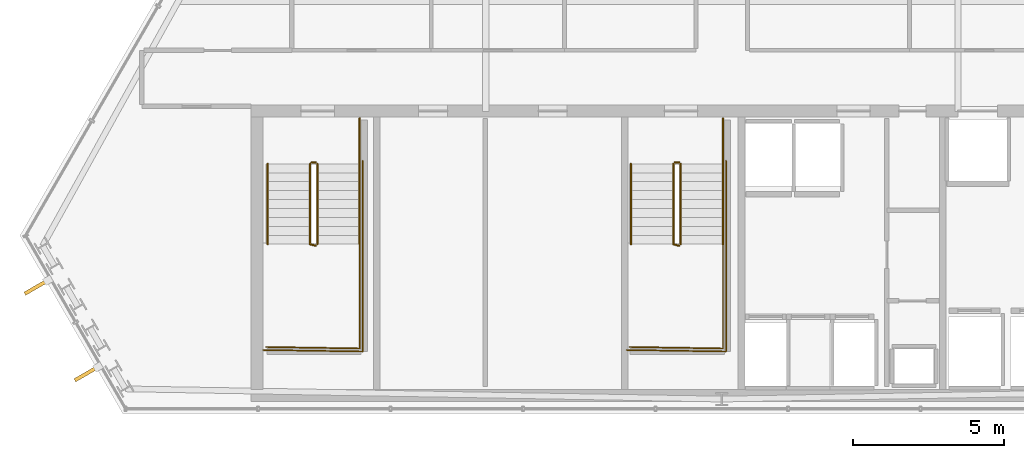
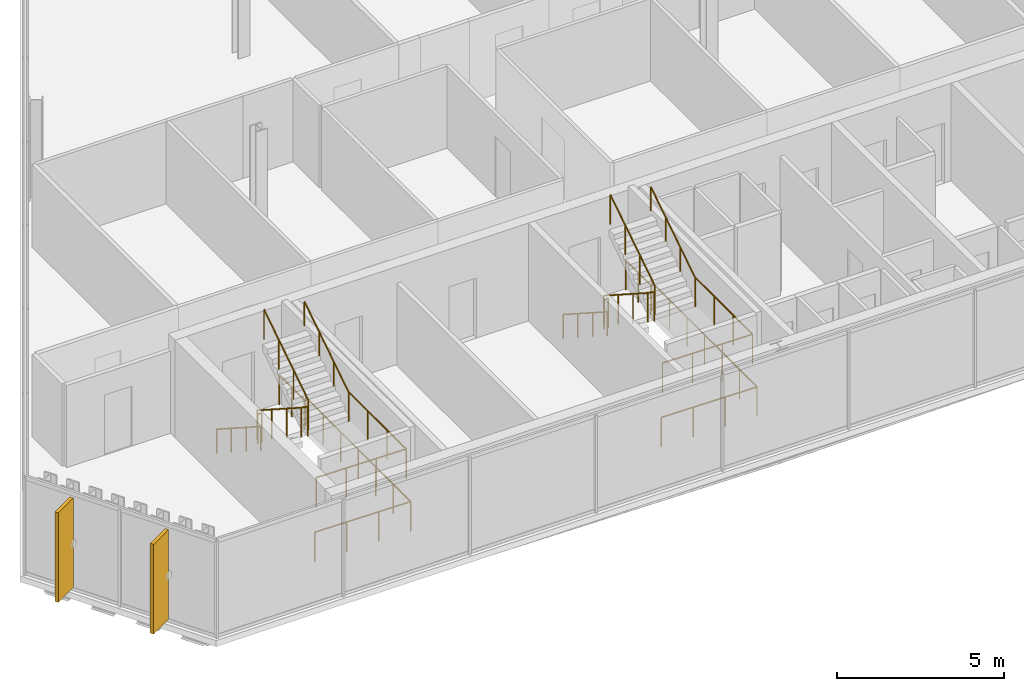
# One storey, part 27 of 29: 16 railings, 2 shading devices.
"""IFC4 building model written with IfcOpenShell, lengths in metres."""

from ifc_helpers import new_model, si_unit, direction, frame, origin, origin_2d, place, context, subcontext, project, spatial, rectangle, circle, extrude, material, layer, layer_set, type_object, element, save


model = new_model("IFC4")

# Units and contexts
model_context = context("Model", 3, precision=1e-05, world=origin(), true_north=direction((0.0, 1.0)))
body_context = subcontext(model_context, "Body", "Model", "MODEL_VIEW")
ifc_project = project(units=[si_unit("LENGTHUNIT", "METRE"), si_unit("AREAUNIT", "SQUARE_METRE"), si_unit("VOLUMEUNIT", "CUBIC_METRE"), si_unit("PLANEANGLEUNIT", "RADIAN"), si_unit("MASSUNIT", "GRAM", prefix="KILO")], contexts=[model_context])

# Site, building, storey
site_placement = place(None, origin())
site = spatial("IfcSite", under=ifc_project, at=site_placement, CompositionType="ELEMENT")
building_placement = place(site_placement, origin())
building = spatial("IfcBuilding", under=site, at=building_placement, Name="Ndaravel Arena Tower", CompositionType="ELEMENT")
storey_placement = place(building_placement, frame((0.0, 0.0, 244.60009765625)))
storey = spatial("IfcBuildingStorey", under=building, at=storey_placement, Name="L59", CompositionType="ELEMENT", Elevation=244.60009765625)

# Railings
ifc_material_1 = material(Name="Steel S355", Category="steel")
ifc_layer_1 = layer(ifc_material_1, 0.06005859375)
ifc_layer_set_1 = layer_set([ifc_layer_1], Name="Steel S355")
railing_type_1 = type_object("IfcRailingType", Name="RAIL-STAIR-GD1100", PredefinedType="GUARDRAIL", material=ifc_layer_set_1)
railing_1_placement = place(storey_placement, frame((28.39990234375, 13.25, 0.18994140625)))
element("IfcRailing", 1, at=railing_1_placement, inside=storey, type_object=railing_type_1, Name="L59 ST-1 stair guard 1", PredefinedType="GUARDRAIL", context=body_context, shape_type="SweptSolid", body=[
    extrude(circle(Radius=0.02392578125, at=origin_2d()), frame((0.0, 0.0, 1.076171875), z_axis=(0.0, -0.840723540582, 0.54146461409), x_axis=(1.0, 0.0, 0.0)), (0.0, 0.0, 1.0), 3.157958984375),
    extrude(circle(Radius=0.02392578125, at=origin_2d()), frame((0.0, -2.655029296875, 2.7861328125), z_axis=(0.967074537263, -0.25449329928, 0.0), x_axis=(0.25449329928, 0.967074537263, 0.0)), (0.0, 0.0, 1.0), 0.19677734375),
    extrude(circle(Radius=0.02099609375, at=origin_2d()), origin(), (0.0, 0.0, 1.0), 1.052001953125),
    extrude(circle(Radius=0.02099609375, at=origin_2d()), frame((0.0, -0.885009765625, 0.570068359375)), (0.0, 0.0, 1.0), 1.052001953125),
    extrude(circle(Radius=0.02099609375, at=origin_2d()), frame((0.0, -1.77001953125, 1.139892578125)), (0.0, 0.0, 1.0), 1.052001953125),
    extrude(circle(Radius=0.02099609375, at=origin_2d()), frame((0.0, -2.655029296875, 1.7099609375)), (0.0, 0.0, 1.0), 1.052001953125),
    extrude(circle(Radius=0.02099609375, at=origin_2d()), frame((0.190185546875, -2.705078125, 1.7099609375)), (0.0, 0.0, 1.0), 1.052001953125),
])
railing_2_placement = place(storey_placement, frame((30.0400390625, 10.594970703125, 1.89990234375)))
element("IfcRailing", 2, at=railing_2_placement, inside=storey, type_object=railing_type_1, Name="L59 ST-1 stair guard 2", PredefinedType="GUARDRAIL", context=body_context, shape_type="SweptSolid", body=[
    extrude(circle(Radius=0.02392578125, at=origin_2d()), frame((0.0, 0.0, 1.076171875), z_axis=(0.0, -1.0, 0.0), x_axis=(1.0, 0.0, 0.0)), (0.0, 0.0, 1.0), 3.445068359375),
    extrude(circle(Radius=0.02392578125, at=origin_2d()), frame((0.0, -3.445068359375, 1.076171875), z_axis=(-0.999868861343, 0.016194447071, 0.0), x_axis=(-0.016194447071, -0.999868861343, 0.0)), (0.0, 0.0, 1.0), 3.090576171875),
    extrude(circle(Radius=0.02099609375, at=origin_2d()), origin(), (0.0, 0.0, 1.0), 1.052001953125),
    extrude(circle(Radius=0.02099609375, at=origin_2d()), frame((0.0, -1.1484375, 0.0)), (0.0, 0.0, 1.0), 1.052001953125),
    extrude(circle(Radius=0.02099609375, at=origin_2d()), frame((0.0, -2.296630859375, 0.0)), (0.0, 0.0, 1.0), 1.052001953125),
    extrude(circle(Radius=0.02099609375, at=origin_2d()), frame((0.0, -3.445068359375, 0.0)), (0.0, 0.0, 1.0), 1.052001953125),
    extrude(circle(Radius=0.02099609375, at=origin_2d()), frame((-1.030029296875, -3.428466796875, 0.0)), (0.0, 0.0, 1.0), 1.052001953125),
    extrude(circle(Radius=0.02099609375, at=origin_2d()), frame((-2.06005859375, -3.41162109375, 0.0)), (0.0, 0.0, 1.0), 1.052001953125),
    extrude(circle(Radius=0.02099609375, at=origin_2d()), frame((-3.090087890625, -3.39501953125, 0.0)), (0.0, 0.0, 1.0), 1.052001953125),
])
railing_3_placement = place(storey_placement, frame((28.639892578125, 10.594970703125, 2.08984375)))
element("IfcRailing", 3, at=railing_3_placement, inside=storey, type_object=railing_type_1, Name="L59 ST-1 stair guard 3", PredefinedType="GUARDRAIL", context=body_context, shape_type="SweptSolid", body=[
    extrude(circle(Radius=0.02392578125, at=origin_2d()), frame((0.0, 0.0, 1.076171875), z_axis=(0.0, 0.840723540582, 0.54146461409), x_axis=(-1.0, 0.0, 0.0)), (0.0, 0.0, 1.0), 3.157958984375),
    extrude(circle(Radius=0.02099609375, at=origin_2d()), origin(), (0.0, 0.0, 1.0), 1.052001953125),
    extrude(circle(Radius=0.02099609375, at=origin_2d()), frame((0.0, 0.885009765625, 0.570068359375)), (0.0, 0.0, 1.0), 1.052001953125),
    extrude(circle(Radius=0.02099609375, at=origin_2d()), frame((0.0, 1.77001953125, 1.139892578125)), (0.0, 0.0, 1.0), 1.052001953125),
    extrude(circle(Radius=0.02099609375, at=origin_2d()), frame((0.0, 2.655029296875, 1.7099609375)), (0.0, 0.0, 1.0), 1.052001953125),
])
railing_4_placement = place(storey_placement, frame((28.449951171875, 13.300048828125, 0.0)))
element("IfcRailing", 4, at=railing_4_placement, inside=storey, type_object=railing_type_1, Name="L59 ST-1 stair guard 4", PredefinedType="GUARDRAIL", context=body_context, shape_type="SweptSolid", body=[
    extrude(circle(Radius=0.02392578125, at=origin_2d()), frame((0.0, 0.0, 1.076171875), z_axis=(1.0, 0.0, 0.0), x_axis=(0.0, 1.0, 0.0)), (0.0, 0.0, 1.0), 0.14013671875),
    extrude(circle(Radius=0.02099609375, at=origin_2d()), origin(), (0.0, 0.0, 1.0), 1.052001953125),
    extrude(circle(Radius=0.02099609375, at=origin_2d()), frame((0.14013671875, 0.0, 0.0)), (0.0, 0.0, 1.0), 1.052001953125),
])
railing_5_placement = place(storey_placement, frame((30.0400390625, 14.75, 0.0)))
element("IfcRailing", 5, at=railing_5_placement, inside=storey, type_object=railing_type_1, Name="L59 ST-1 stair guard 5", PredefinedType="GUARDRAIL", context=body_context, shape_type="SweptSolid", body=[
    extrude(circle(Radius=0.02392578125, at=origin_2d()), frame((0.0, 0.0, 1.076171875), z_axis=(0.0, -1.0, 0.0), x_axis=(1.0, 0.0, 0.0)), (0.0, 0.0, 1.0), 1.5),
    extrude(circle(Radius=0.02099609375, at=origin_2d()), origin(), (0.0, 0.0, 1.0), 1.052001953125),
    extrude(circle(Radius=0.02099609375, at=origin_2d()), frame((0.0, -0.75, 0.0)), (0.0, 0.0, 1.0), 1.052001953125),
    extrude(circle(Radius=0.02099609375, at=origin_2d()), frame((0.0, -1.5, 0.0)), (0.0, 0.0, 1.0), 1.052001953125),
])
railing_6_placement = place(storey_placement, frame((30.139892578125, 13.35009765625, 0.0)))
element("IfcRailing", 6, at=railing_6_placement, inside=storey, type_object=railing_type_1, Name="L59 ST-1 stair guard 6", PredefinedType="GUARDRAIL", context=body_context, shape_type="SweptSolid", body=[
    extrude(circle(Radius=0.02392578125, at=origin_2d()), frame((0.0, 0.0, 1.076171875), z_axis=(0.0, -1.0, 0.0), x_axis=(1.0, 0.0, 0.0)), (0.0, 0.0, 1.0), 6.300048828125),
    extrude(circle(Radius=0.02392578125, at=origin_2d()), frame((0.0, -6.300048828125, 1.076171875), z_axis=(-0.999884296952, 0.015211597839, 0.0), x_axis=(-0.015211597839, -0.999884296952, 0.0)), (0.0, 0.0, 1.0), 3.290283203125),
    extrude(circle(Radius=0.02099609375, at=origin_2d()), origin(), (0.0, 0.0, 1.0), 1.052001953125),
    extrude(circle(Radius=0.02099609375, at=origin_2d()), frame((0.0, -1.050048828125, 0.0)), (0.0, 0.0, 1.0), 1.052001953125),
    extrude(circle(Radius=0.02099609375, at=origin_2d()), frame((0.0, -2.10009765625, 0.0)), (0.0, 0.0, 1.0), 1.052001953125),
    extrude(circle(Radius=0.02099609375, at=origin_2d()), frame((0.0, -3.14990234375, 0.0)), (0.0, 0.0, 1.0), 1.052001953125),
    extrude(circle(Radius=0.02099609375, at=origin_2d()), frame((0.0, -4.199951171875, 0.0)), (0.0, 0.0, 1.0), 1.052001953125),
    extrude(circle(Radius=0.02099609375, at=origin_2d()), frame((0.0, -5.25, 0.0)), (0.0, 0.0, 1.0), 1.052001953125),
    extrude(circle(Radius=0.02099609375, at=origin_2d()), frame((0.0, -6.300048828125, 0.0)), (0.0, 0.0, 1.0), 1.052001953125),
    extrude(circle(Radius=0.02099609375, at=origin_2d()), frame((-1.0966796875, -6.283447265625, 0.0)), (0.0, 0.0, 1.0), 1.052001953125),
    extrude(circle(Radius=0.02099609375, at=origin_2d()), frame((-2.193115234375, -6.2666015625, 0.0)), (0.0, 0.0, 1.0), 1.052001953125),
    extrude(circle(Radius=0.02099609375, at=origin_2d()), frame((-3.289794921875, -6.25, 0.0)), (0.0, 0.0, 1.0), 1.052001953125),
])
railing_7_placement = place(storey_placement, frame((40.39990234375, 13.25, 0.18994140625)))
element("IfcRailing", 7, at=railing_7_placement, inside=storey, type_object=railing_type_1, Name="L59 ST-2 stair guard 1", PredefinedType="GUARDRAIL", context=body_context, shape_type="SweptSolid", body=[
    extrude(circle(Radius=0.02392578125, at=origin_2d()), frame((0.0, 0.0, 1.076171875), z_axis=(0.0, -0.840723540582, 0.54146461409), x_axis=(1.0, 0.0, 0.0)), (0.0, 0.0, 1.0), 3.157958984375),
    extrude(circle(Radius=0.02392578125, at=origin_2d()), frame((0.0, -2.655029296875, 2.7861328125), z_axis=(0.967074537263, -0.25449329928, 0.0), x_axis=(0.25449329928, 0.967074537263, 0.0)), (0.0, 0.0, 1.0), 0.19677734375),
    extrude(circle(Radius=0.02099609375, at=origin_2d()), origin(), (0.0, 0.0, 1.0), 1.052001953125),
    extrude(circle(Radius=0.02099609375, at=origin_2d()), frame((0.0, -0.885009765625, 0.570068359375)), (0.0, 0.0, 1.0), 1.052001953125),
    extrude(circle(Radius=0.02099609375, at=origin_2d()), frame((0.0, -1.77001953125, 1.139892578125)), (0.0, 0.0, 1.0), 1.052001953125),
    extrude(circle(Radius=0.02099609375, at=origin_2d()), frame((0.0, -2.655029296875, 1.7099609375)), (0.0, 0.0, 1.0), 1.052001953125),
    extrude(circle(Radius=0.02099609375, at=origin_2d()), frame((0.190185546875, -2.705078125, 1.7099609375)), (0.0, 0.0, 1.0), 1.052001953125),
])
railing_8_placement = place(storey_placement, frame((42.0400390625, 10.594970703125, 1.89990234375)))
element("IfcRailing", 8, at=railing_8_placement, inside=storey, type_object=railing_type_1, Name="L59 ST-2 stair guard 2", PredefinedType="GUARDRAIL", context=body_context, shape_type="SweptSolid", body=[
    extrude(circle(Radius=0.02392578125, at=origin_2d()), frame((0.0, 0.0, 1.076171875), z_axis=(0.0, -1.0, 0.0), x_axis=(1.0, 0.0, 0.0)), (0.0, 0.0, 1.0), 3.445068359375),
    extrude(circle(Radius=0.02392578125, at=origin_2d()), frame((0.0, -3.445068359375, 1.076171875), z_axis=(-0.999868861343, 0.016194447071, 0.0), x_axis=(-0.016194447071, -0.999868861343, 0.0)), (0.0, 0.0, 1.0), 3.090576171875),
    extrude(circle(Radius=0.02099609375, at=origin_2d()), origin(), (0.0, 0.0, 1.0), 1.052001953125),
    extrude(circle(Radius=0.02099609375, at=origin_2d()), frame((0.0, -1.1484375, 0.0)), (0.0, 0.0, 1.0), 1.052001953125),
    extrude(circle(Radius=0.02099609375, at=origin_2d()), frame((0.0, -2.296630859375, 0.0)), (0.0, 0.0, 1.0), 1.052001953125),
    extrude(circle(Radius=0.02099609375, at=origin_2d()), frame((0.0, -3.445068359375, 0.0)), (0.0, 0.0, 1.0), 1.052001953125),
    extrude(circle(Radius=0.02099609375, at=origin_2d()), frame((-1.030029296875, -3.428466796875, 0.0)), (0.0, 0.0, 1.0), 1.052001953125),
    extrude(circle(Radius=0.02099609375, at=origin_2d()), frame((-2.06005859375, -3.41162109375, 0.0)), (0.0, 0.0, 1.0), 1.052001953125),
    extrude(circle(Radius=0.02099609375, at=origin_2d()), frame((-3.090087890625, -3.39501953125, 0.0)), (0.0, 0.0, 1.0), 1.052001953125),
])
railing_9_placement = place(storey_placement, frame((40.639892578125, 10.594970703125, 2.08984375)))
element("IfcRailing", 9, at=railing_9_placement, inside=storey, type_object=railing_type_1, Name="L59 ST-2 stair guard 3", PredefinedType="GUARDRAIL", context=body_context, shape_type="SweptSolid", body=[
    extrude(circle(Radius=0.02392578125, at=origin_2d()), frame((0.0, 0.0, 1.076171875), z_axis=(0.0, 0.840723540582, 0.54146461409), x_axis=(-1.0, 0.0, 0.0)), (0.0, 0.0, 1.0), 3.157958984375),
    extrude(circle(Radius=0.02099609375, at=origin_2d()), origin(), (0.0, 0.0, 1.0), 1.052001953125),
    extrude(circle(Radius=0.02099609375, at=origin_2d()), frame((0.0, 0.885009765625, 0.570068359375)), (0.0, 0.0, 1.0), 1.052001953125),
    extrude(circle(Radius=0.02099609375, at=origin_2d()), frame((0.0, 1.77001953125, 1.139892578125)), (0.0, 0.0, 1.0), 1.052001953125),
    extrude(circle(Radius=0.02099609375, at=origin_2d()), frame((0.0, 2.655029296875, 1.7099609375)), (0.0, 0.0, 1.0), 1.052001953125),
])
railing_10_placement = place(storey_placement, frame((40.449951171875, 13.300048828125, 0.0)))
element("IfcRailing", 10, at=railing_10_placement, inside=storey, type_object=railing_type_1, Name="L59 ST-2 stair guard 4", PredefinedType="GUARDRAIL", context=body_context, shape_type="SweptSolid", body=[
    extrude(circle(Radius=0.02392578125, at=origin_2d()), frame((0.0, 0.0, 1.076171875), z_axis=(1.0, 0.0, 0.0), x_axis=(0.0, 1.0, 0.0)), (0.0, 0.0, 1.0), 0.14013671875),
    extrude(circle(Radius=0.02099609375, at=origin_2d()), origin(), (0.0, 0.0, 1.0), 1.052001953125),
    extrude(circle(Radius=0.02099609375, at=origin_2d()), frame((0.14013671875, 0.0, 0.0)), (0.0, 0.0, 1.0), 1.052001953125),
])
railing_11_placement = place(storey_placement, frame((42.0400390625, 14.75, 0.0)))
element("IfcRailing", 11, at=railing_11_placement, inside=storey, type_object=railing_type_1, Name="L59 ST-2 stair guard 5", PredefinedType="GUARDRAIL", context=body_context, shape_type="SweptSolid", body=[
    extrude(circle(Radius=0.02392578125, at=origin_2d()), frame((0.0, 0.0, 1.076171875), z_axis=(0.0, -1.0, 0.0), x_axis=(1.0, 0.0, 0.0)), (0.0, 0.0, 1.0), 1.5),
    extrude(circle(Radius=0.02099609375, at=origin_2d()), origin(), (0.0, 0.0, 1.0), 1.052001953125),
    extrude(circle(Radius=0.02099609375, at=origin_2d()), frame((0.0, -0.75, 0.0)), (0.0, 0.0, 1.0), 1.052001953125),
    extrude(circle(Radius=0.02099609375, at=origin_2d()), frame((0.0, -1.5, 0.0)), (0.0, 0.0, 1.0), 1.052001953125),
])
railing_12_placement = place(storey_placement, frame((42.139892578125, 13.35009765625, 0.0)))
element("IfcRailing", 12, at=railing_12_placement, inside=storey, type_object=railing_type_1, Name="L59 ST-2 stair guard 6", PredefinedType="GUARDRAIL", context=body_context, shape_type="SweptSolid", body=[
    extrude(circle(Radius=0.02392578125, at=origin_2d()), frame((0.0, 0.0, 1.076171875), z_axis=(0.0, -1.0, 0.0), x_axis=(1.0, 0.0, 0.0)), (0.0, 0.0, 1.0), 6.300048828125),
    extrude(circle(Radius=0.02392578125, at=origin_2d()), frame((0.0, -6.300048828125, 1.076171875), z_axis=(-0.999884296952, 0.015211597839, 0.0), x_axis=(-0.015211597839, -0.999884296952, 0.0)), (0.0, 0.0, 1.0), 3.290283203125),
    extrude(circle(Radius=0.02099609375, at=origin_2d()), origin(), (0.0, 0.0, 1.0), 1.052001953125),
    extrude(circle(Radius=0.02099609375, at=origin_2d()), frame((0.0, -1.050048828125, 0.0)), (0.0, 0.0, 1.0), 1.052001953125),
    extrude(circle(Radius=0.02099609375, at=origin_2d()), frame((0.0, -2.10009765625, 0.0)), (0.0, 0.0, 1.0), 1.052001953125),
    extrude(circle(Radius=0.02099609375, at=origin_2d()), frame((0.0, -3.14990234375, 0.0)), (0.0, 0.0, 1.0), 1.052001953125),
    extrude(circle(Radius=0.02099609375, at=origin_2d()), frame((0.0, -4.199951171875, 0.0)), (0.0, 0.0, 1.0), 1.052001953125),
    extrude(circle(Radius=0.02099609375, at=origin_2d()), frame((0.0, -5.25, 0.0)), (0.0, 0.0, 1.0), 1.052001953125),
    extrude(circle(Radius=0.02099609375, at=origin_2d()), frame((0.0, -6.300048828125, 0.0)), (0.0, 0.0, 1.0), 1.052001953125),
    extrude(circle(Radius=0.02099609375, at=origin_2d()), frame((-1.0966796875, -6.283447265625, 0.0)), (0.0, 0.0, 1.0), 1.052001953125),
    extrude(circle(Radius=0.02099609375, at=origin_2d()), frame((-2.193115234375, -6.2666015625, 0.0)), (0.0, 0.0, 1.0), 1.052001953125),
    extrude(circle(Radius=0.02099609375, at=origin_2d()), frame((-3.289794921875, -6.25, 0.0)), (0.0, 0.0, 1.0), 1.052001953125),
])
ifc_material_2 = material(Name="Steel S355", Category="steel")
ifc_layer_2 = layer(ifc_material_2, 0.050048828125)
ifc_layer_set_2 = layer_set([ifc_layer_2], Name="Steel S355")
railing_type_2 = type_object("IfcRailingType", Name="RAIL-STAIR-HR920", PredefinedType="HANDRAIL", material=ifc_layer_set_2)
railing_13_placement = place(storey_placement, frame((27.0, 13.25, 0.18994140625)))
element("IfcRailing", 13, at=railing_13_placement, inside=storey, type_object=railing_type_2, Name="L59 ST-1 stair handrail 1", PredefinedType="HANDRAIL", context=body_context, shape_type="SweptSolid", body=[
    extrude(circle(Radius=0.02392578125, at=origin_2d()), frame((0.0, 0.0, 0.8759765625), z_axis=(0.0, -0.840723540582, 0.54146461409), x_axis=(1.0, 0.0, 0.0)), (0.0, 0.0, 1.0), 3.157958984375),
    extrude(circle(Radius=0.02099609375, at=origin_2d()), origin(), (0.0, 0.0, 1.0), 0.851806640625),
    extrude(circle(Radius=0.02099609375, at=origin_2d()), frame((0.0, -0.885009765625, 0.570068359375)), (0.0, 0.0, 1.0), 0.851806640625),
    extrude(circle(Radius=0.02099609375, at=origin_2d()), frame((0.0, -1.77001953125, 1.139892578125)), (0.0, 0.0, 1.0), 0.851806640625),
    extrude(circle(Radius=0.02099609375, at=origin_2d()), frame((0.0, -2.655029296875, 1.7099609375)), (0.0, 0.0, 1.0), 0.851806640625),
])
railing_14_placement = place(storey_placement, frame((30.0400390625, 10.594970703125, 2.08984375)))
element("IfcRailing", 14, at=railing_14_placement, inside=storey, type_object=railing_type_2, Name="L59 ST-1 stair handrail 2", PredefinedType="HANDRAIL", context=body_context, shape_type="SweptSolid", body=[
    extrude(circle(Radius=0.02392578125, at=origin_2d()), frame((0.0, 0.0, 0.8759765625), z_axis=(0.0, 0.840723540582, 0.54146461409), x_axis=(-1.0, 0.0, 0.0)), (0.0, 0.0, 1.0), 3.157958984375),
    extrude(circle(Radius=0.02099609375, at=origin_2d()), origin(), (0.0, 0.0, 1.0), 0.851806640625),
    extrude(circle(Radius=0.02099609375, at=origin_2d()), frame((0.0, 0.885009765625, 0.570068359375)), (0.0, 0.0, 1.0), 0.851806640625),
    extrude(circle(Radius=0.02099609375, at=origin_2d()), frame((0.0, 1.77001953125, 1.139892578125)), (0.0, 0.0, 1.0), 0.851806640625),
    extrude(circle(Radius=0.02099609375, at=origin_2d()), frame((0.0, 2.655029296875, 1.7099609375)), (0.0, 0.0, 1.0), 0.851806640625),
])
railing_15_placement = place(storey_placement, frame((39.0, 13.25, 0.18994140625)))
element("IfcRailing", 15, at=railing_15_placement, inside=storey, type_object=railing_type_2, Name="L59 ST-2 stair handrail 1", PredefinedType="HANDRAIL", context=body_context, shape_type="SweptSolid", body=[
    extrude(circle(Radius=0.02392578125, at=origin_2d()), frame((0.0, 0.0, 0.8759765625), z_axis=(0.0, -0.840723540582, 0.54146461409), x_axis=(1.0, 0.0, 0.0)), (0.0, 0.0, 1.0), 3.157958984375),
    extrude(circle(Radius=0.02099609375, at=origin_2d()), origin(), (0.0, 0.0, 1.0), 0.851806640625),
    extrude(circle(Radius=0.02099609375, at=origin_2d()), frame((0.0, -0.885009765625, 0.570068359375)), (0.0, 0.0, 1.0), 0.851806640625),
    extrude(circle(Radius=0.02099609375, at=origin_2d()), frame((0.0, -1.77001953125, 1.139892578125)), (0.0, 0.0, 1.0), 0.851806640625),
    extrude(circle(Radius=0.02099609375, at=origin_2d()), frame((0.0, -2.655029296875, 1.7099609375)), (0.0, 0.0, 1.0), 0.851806640625),
])
railing_16_placement = place(storey_placement, frame((42.0400390625, 10.594970703125, 2.08984375)))
element("IfcRailing", 16, at=railing_16_placement, inside=storey, type_object=railing_type_2, Name="L59 ST-2 stair handrail 2", PredefinedType="HANDRAIL", context=body_context, shape_type="SweptSolid", body=[
    extrude(circle(Radius=0.02392578125, at=origin_2d()), frame((0.0, 0.0, 0.8759765625), z_axis=(0.0, 0.840723540582, 0.54146461409), x_axis=(-1.0, 0.0, 0.0)), (0.0, 0.0, 1.0), 3.157958984375),
    extrude(circle(Radius=0.02099609375, at=origin_2d()), origin(), (0.0, 0.0, 1.0), 0.851806640625),
    extrude(circle(Radius=0.02099609375, at=origin_2d()), frame((0.0, 0.885009765625, 0.570068359375)), (0.0, 0.0, 1.0), 0.851806640625),
    extrude(circle(Radius=0.02099609375, at=origin_2d()), frame((0.0, 1.77001953125, 1.139892578125)), (0.0, 0.0, 1.0), 0.851806640625),
    extrude(circle(Radius=0.02099609375, at=origin_2d()), frame((0.0, 2.655029296875, 1.7099609375)), (0.0, 0.0, 1.0), 0.851806640625),
])

# Shading devices
ifc_material_3 = material(Name="Masonry", Category="masonry")
shading_device_type = type_object("IfcShadingDeviceType", Name="SHD-MAZERAS-FIN", PredefinedType="SHUTTER", material=ifc_material_3)
for number, where, z_axis, x_axis, name in (
    (17, (19.367919921875, 9.1845703125, 0.14990234375), (0.0, 0.0, 1.0), (-0.866025403784, -0.5, 0.0), "L59 Mazeras Stone Solar Fin E6.1"),
    (18, (21.01953125, 6.323486328125, 0.14990234375), (0.0, 0.0, 1.0), (-0.866025403784, -0.5, 0.0), "L59 Mazeras Stone Solar Fin E6.2"),
):
    element("IfcShadingDevice", number, at=place(storey_placement, frame(where, z_axis=z_axis, x_axis=x_axis)), inside=storey, type_object=shading_device_type, Name=name, PredefinedType="SHUTTER", context=body_context, shape_type="SweptSolid", body=[
        extrude(rectangle(XDim=0.89990234375, YDim=0.1201171875, at=origin_2d()), origin(), (0.0, 0.0, 1.0), 3.280029296875),
    ])

save(model, "model.ifc")
